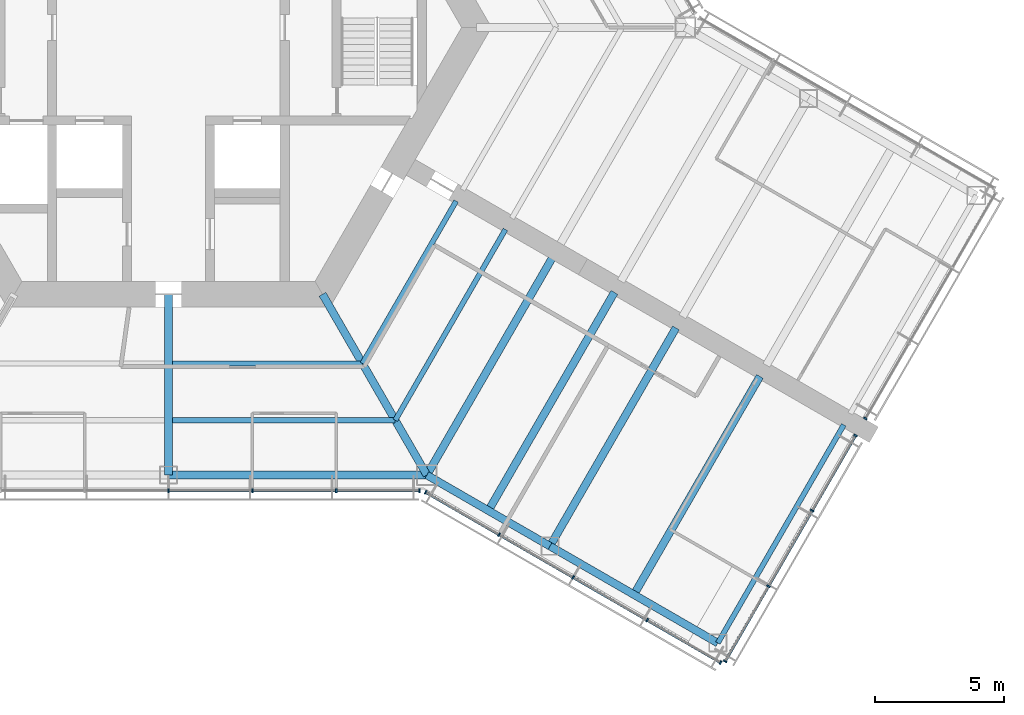
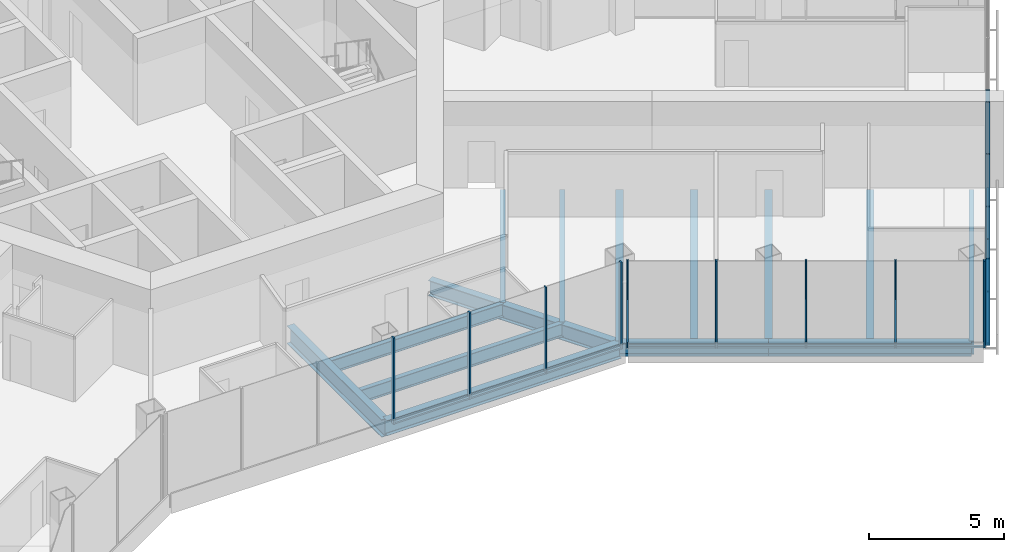
# One storey, part 5 of 18: 24 members, 14 beams, 4 elements without a shape of their own.
"""IFC4 building model written with IfcOpenShell, lengths in metres."""

from ifc_helpers import new_model, si_unit, direction, frame, origin, origin_2d, place, context, subcontext, project, spatial, rectangle, i_section, extrude, material, material_profile, profile_set, type_object, element, aggregate, save


model = new_model("IFC4")

# Units and contexts
model_context = context("Model", 3, precision=1e-05, world=origin(), true_north=direction((0.0, 1.0)))
body_context = subcontext(model_context, "Body", "Model", "MODEL_VIEW")
ifc_project = project(units=[si_unit("LENGTHUNIT", "METRE"), si_unit("AREAUNIT", "SQUARE_METRE"), si_unit("VOLUMEUNIT", "CUBIC_METRE"), si_unit("PLANEANGLEUNIT", "RADIAN"), si_unit("MASSUNIT", "GRAM", prefix="KILO")], contexts=[model_context])

# Site, building, storey
site_placement = place(None, origin())
site = spatial("IfcSite", under=ifc_project, at=site_placement, CompositionType="ELEMENT")
building_placement = place(site_placement, origin())
building = spatial("IfcBuilding", under=site, at=building_placement, Name="Kasaneha Research Tower", CompositionType="ELEMENT")
storey_placement = place(building_placement, frame((0.0, 0.0, 187.699951171875)))
storey = spatial("IfcBuildingStorey", under=building, at=storey_placement, Name="L47", CompositionType="ELEMENT", Elevation=187.699951171875)

# Beams
ifc_material_1 = material(Name="Steel SN490B", Category="steel")
ifc_material_profile_1 = material_profile(ifc_material_1, i_section(OverallWidth=0.199951171875, OverallDepth=0.60009765625, WebThickness=0.010986328125, FlangeThickness=0.01708984375, FilletRadius=0.012939453125, at=origin_2d()), Name="H-600x200x11x17")
ifc_profile_set_1 = profile_set([ifc_material_profile_1], Name="Steel SN490B")
beam_type_1 = type_object("IfcBeamType", Name="B1-3 secondary beam H-600x200x11x17", PredefinedType="JOIST", material=ifc_profile_set_1)
beam_1_placement = place(storey_placement, frame((7.505615234375, -13.0, -0.449951171875), z_axis=(-1.0, 0.0, 0.0), x_axis=(0.0, -1.0, 0.0)))
element("IfcBeam", 1, at=beam_1_placement, inside=storey, type_object=beam_type_1, Name="Secondary beam RS270R1 L47", PredefinedType="JOIST", context=body_context, shape_type="SweptSolid", body=[
    extrude(i_section(OverallWidth=0.199951171875, OverallDepth=0.60009765625, WebThickness=0.010986328125, FlangeThickness=0.01708984375, FilletRadius=0.012939453125, at=origin_2d()), origin(), (0.0, 0.0, 1.0), 7.355712890625),
])
beam_2_placement = place(storey_placement, frame((8.775634765625, -15.199951171875, -0.449951171875), z_axis=(-1.0, 0.0, 0.0), x_axis=(0.0, -1.0, 0.0)))
element("IfcBeam", 2, at=beam_2_placement, inside=storey, type_object=beam_type_1, Name="Secondary beam RS270R2 L47", PredefinedType="JOIST", context=body_context, shape_type="SweptSolid", body=[
    extrude(i_section(OverallWidth=0.199951171875, OverallDepth=0.60009765625, WebThickness=0.010986328125, FlangeThickness=0.01708984375, FilletRadius=0.012939453125, at=origin_2d()), origin(), (0.0, 0.0, 1.0), 8.625732421875),
])
beam_3_placement = place(storey_placement, frame((7.505615234375, -13.0, -0.449951171875), z_axis=(0.499993340521, 0.866029248602, 0.0), x_axis=(-0.866029248602, 0.499993340521, 0.0)))
element("IfcBeam", 3, at=beam_3_placement, inside=storey, type_object=beam_type_1, Name="Secondary beam RS330L1 L47", PredefinedType="JOIST", context=body_context, shape_type="SweptSolid", body=[
    extrude(i_section(OverallWidth=0.199951171875, OverallDepth=0.60009765625, WebThickness=0.010986328125, FlangeThickness=0.01708984375, FilletRadius=0.012939453125, at=origin_2d()), origin(), (0.0, 0.0, 1.0), 7.25537109375),
])
beam_4_placement = place(storey_placement, frame((8.775634765625, -15.199951171875, -0.449951171875), z_axis=(0.500004205306, 0.866022975836, 0.0), x_axis=(-0.866022975836, 0.500004205306, 0.0)))
element("IfcBeam", 4, at=beam_4_placement, inside=storey, type_object=beam_type_1, Name="Secondary beam RS330L2 L47", PredefinedType="JOIST", context=body_context, shape_type="SweptSolid", body=[
    extrude(i_section(OverallWidth=0.199951171875, OverallDepth=0.60009765625, WebThickness=0.010986328125, FlangeThickness=0.01708984375, FilletRadius=0.012939453125, at=origin_2d()), origin(), (0.0, 0.0, 1.0), 8.52587890625),
])
ifc_material_2 = material(Name="Steel SN490B", Category="steel")
ifc_material_profile_2 = material_profile(ifc_material_2, i_section(OverallWidth=0.300048828125, OverallDepth=0.58203125, WebThickness=0.011962890625, FlangeThickness=0.01708984375, FilletRadius=0.012939453125, at=origin_2d()), Name="H-582x300x12x17")
ifc_profile_set_2 = profile_set([ifc_material_profile_2], Name="Steel SN490B")
beam_type_2 = type_object("IfcBeamType", Name="B2-3 secondary beam H-582x300x12x17", PredefinedType="JOIST", material=ifc_profile_set_2)
for number, where, z_axis, x_axis, name in (
    (5, (12.381591796875, -18.695556640625, -0.44091796875), (0.499995560238, 0.866027967067, 0.0), (-0.866027967067, 0.499995560238, 0.0), "Secondary beam WBCP1 L47"),
    (6, (18.0107421875, -21.945556640625, -0.44091796875), (0.499995560238, 0.866027967067, 0.0), (-0.866027967067, 0.499995560238, 0.0), "Secondary beam WBCP2 L47"),
):
    element("IfcBeam", number, at=place(storey_placement, frame(where, z_axis=z_axis, x_axis=x_axis)), inside=storey, type_object=beam_type_2, Name=name, PredefinedType="JOIST", context=body_context, shape_type="SweptSolid", body=[
        extrude(i_section(OverallWidth=0.300048828125, OverallDepth=0.58203125, WebThickness=0.011962890625, FlangeThickness=0.01708984375, FilletRadius=0.012939453125, at=origin_2d()), origin(), (0.0, 0.0, 1.0), 9.75),
    ])

# Curtain wall, members
ifc_material_3 = material(Name="Glass and aluminium", Category="aluminium")
curtain_wall_type = type_object("IfcCurtainWallType", Name="Mid-rise office curtain wall", PredefinedType="USERDEFINED", material=ifc_material_3)
curtain_wall_1_placement = place(storey_placement, origin())
curtain_wall_1 = element("IfcCurtainWall", 7, at=curtain_wall_1_placement, inside=storey, type_object=curtain_wall_type, Name="CW-O2 L47 run 01a", ObjectType="UNITISED CURTAIN WALL", PredefinedType="USERDEFINED")
ifc_material_4 = material(Name="Aluminium 6063-T6", Category="aluminium")
ifc_material_profile_3 = material_profile(ifc_material_4, rectangle(XDim=0.06005859375, YDim=0.14990234375, at=origin_2d()), Name="CW-O2 mullion 60x150")
ifc_profile_set_3 = profile_set([ifc_material_profile_3], Name="Aluminium 6063-T6")
member_type_1 = type_object("IfcMemberType", Name="CW-O2 mullion", PredefinedType="MULLION", material=ifc_profile_set_3)
member_1_placement = place(storey_placement, frame((0.0, -17.92041015625, 0.0), z_axis=(0.0, 0.0, 1.0), x_axis=(1.0, 0.0, 0.0)))
member_1 = element("IfcMember", 8, at=member_1_placement, type_object=member_type_1, Name="CW-O2 mullion 4", PredefinedType="MULLION", context=body_context, shape_type="SweptSolid", body=[
    extrude(rectangle(XDim=0.06005859375, YDim=0.14990234375, at=origin_2d()), origin(), (0.0, 0.0, 1.0), 3.900146484375),
])
member_2_placement = place(storey_placement, frame((3.246337890625, -17.92041015625, 0.0), z_axis=(0.0, 0.0, 1.0), x_axis=(1.0, 0.0, 0.0)))
member_2 = element("IfcMember", 9, at=member_2_placement, type_object=member_type_1, Name="CW-O2 mullion 5", PredefinedType="MULLION", context=body_context, shape_type="SweptSolid", body=[
    extrude(rectangle(XDim=0.06005859375, YDim=0.14990234375, at=origin_2d()), origin(), (0.0, 0.0, 1.0), 3.900146484375),
])
member_3_placement = place(storey_placement, frame((6.492919921875, -17.92041015625, 0.0), z_axis=(0.0, 0.0, 1.0), x_axis=(1.0, 0.0, 0.0)))
member_3 = element("IfcMember", 10, at=member_3_placement, type_object=member_type_1, Name="CW-O2 mullion 6", PredefinedType="MULLION", context=body_context, shape_type="SweptSolid", body=[
    extrude(rectangle(XDim=0.06005859375, YDim=0.14990234375, at=origin_2d()), origin(), (0.0, 0.0, 1.0), 3.900146484375),
])
member_4_placement = place(storey_placement, frame((9.709228515625, -17.92041015625, 0.0), z_axis=(0.0, 0.0, 1.0), x_axis=(1.0, 0.0, 0.0)))
member_4 = element("IfcMember", 11, at=member_4_placement, type_object=member_type_1, Name="CW-O2 mullion 7", PredefinedType="MULLION", context=body_context, shape_type="SweptSolid", body=[
    extrude(rectangle(XDim=0.06005859375, YDim=0.14990234375, at=origin_2d()), origin(), (0.0, 0.0, 1.0), 3.900146484375),
])

curtain_wall_2_placement = place(storey_placement, origin())
curtain_wall_2 = element("IfcCurtainWall", 12, at=curtain_wall_2_placement, inside=storey, type_object=curtain_wall_type, Name="CW-O2 L47 run 02a", ObjectType="UNITISED CURTAIN WALL", PredefinedType="USERDEFINED")
member_5_placement = place(storey_placement, frame((9.951904296875, -17.985595703125, 0.0), z_axis=(0.0, 0.0, 1.0), x_axis=(0.866025411464, -0.499999986699, 0.0)))
member_5 = element("IfcMember", 13, at=member_5_placement, type_object=member_type_1, Name="CW-O2 mullion 1", PredefinedType="MULLION", context=body_context, shape_type="SweptSolid", body=[
    extrude(rectangle(XDim=0.06005859375, YDim=0.14990234375, at=origin_2d()), origin(), (0.0, 0.0, 1.0), 3.900146484375),
])
member_6_placement = place(storey_placement, frame((12.792236328125, -19.62548828125, 0.0), z_axis=(0.0, 0.0, 1.0), x_axis=(0.866025411464, -0.499999986699, 0.0)))
member_6 = element("IfcMember", 14, at=member_6_placement, type_object=member_type_1, Name="CW-O2 mullion 2", PredefinedType="MULLION", context=body_context, shape_type="SweptSolid", body=[
    extrude(rectangle(XDim=0.06005859375, YDim=0.14990234375, at=origin_2d()), origin(), (0.0, 0.0, 1.0), 3.900146484375),
])
member_7_placement = place(storey_placement, frame((15.65869140625, -21.2802734375, 0.0), z_axis=(0.0, 0.0, 1.0), x_axis=(0.866025411464, -0.499999986699, 0.0)))
member_7 = element("IfcMember", 15, at=member_7_placement, type_object=member_type_1, Name="CW-O2 mullion 3", PredefinedType="MULLION", context=body_context, shape_type="SweptSolid", body=[
    extrude(rectangle(XDim=0.06005859375, YDim=0.14990234375, at=origin_2d()), origin(), (0.0, 0.0, 1.0), 3.900146484375),
])
member_8_placement = place(storey_placement, frame((18.52490234375, -22.935302734375, 0.0), z_axis=(0.0, 0.0, 1.0), x_axis=(0.866025411464, -0.499999986699, 0.0)))
member_8 = element("IfcMember", 16, at=member_8_placement, type_object=member_type_1, Name="CW-O2 mullion 4", PredefinedType="MULLION", context=body_context, shape_type="SweptSolid", body=[
    extrude(rectangle(XDim=0.06005859375, YDim=0.14990234375, at=origin_2d()), origin(), (0.0, 0.0, 1.0), 3.900146484375),
])
member_9_placement = place(storey_placement, frame((21.365478515625, -24.5751953125, 0.0), z_axis=(0.0, 0.0, 1.0), x_axis=(0.866025411464, -0.499999986699, 0.0)))
member_9 = element("IfcMember", 17, at=member_9_placement, type_object=member_type_1, Name="CW-O2 mullion 5", PredefinedType="MULLION", context=body_context, shape_type="SweptSolid", body=[
    extrude(rectangle(XDim=0.06005859375, YDim=0.14990234375, at=origin_2d()), origin(), (0.0, 0.0, 1.0), 3.900146484375),
])

curtain_wall_3_placement = place(storey_placement, origin())
curtain_wall_3 = element("IfcCurtainWall", 18, at=curtain_wall_3_placement, inside=storey, type_object=curtain_wall_type, Name="CW-O2 L47 run 03a", ObjectType="UNITISED CURTAIN WALL", PredefinedType="USERDEFINED")
member_10_placement = place(storey_placement, frame((21.54296875, -24.527587890625, 0.0), z_axis=(0.0, 0.0, 1.0), x_axis=(0.500000011442, 0.866025397178, 0.0)))
member_10 = element("IfcMember", 19, at=member_10_placement, type_object=member_type_1, Name="CW-O2 mullion 1", PredefinedType="MULLION", context=body_context, shape_type="SweptSolid", body=[
    extrude(rectangle(XDim=0.06005859375, YDim=0.14990234375, at=origin_2d()), origin(), (0.0, 0.0, 1.0), 3.900146484375),
])
member_11_placement = place(storey_placement, frame((23.2197265625, -21.62353515625, 0.0), z_axis=(0.0, 0.0, 1.0), x_axis=(0.500000011442, 0.866025397178, 0.0)))
member_11 = element("IfcMember", 20, at=member_11_placement, type_object=member_type_1, Name="CW-O2 mullion 2", PredefinedType="MULLION", context=body_context, shape_type="SweptSolid", body=[
    extrude(rectangle(XDim=0.06005859375, YDim=0.14990234375, at=origin_2d()), origin(), (0.0, 0.0, 1.0), 3.900146484375),
])
member_12_placement = place(storey_placement, frame((24.911376953125, -18.693359375, 0.0), z_axis=(0.0, 0.0, 1.0), x_axis=(0.500000011442, 0.866025397178, 0.0)))
member_12 = element("IfcMember", 21, at=member_12_placement, type_object=member_type_1, Name="CW-O2 mullion 3", PredefinedType="MULLION", context=body_context, shape_type="SweptSolid", body=[
    extrude(rectangle(XDim=0.06005859375, YDim=0.14990234375, at=origin_2d()), origin(), (0.0, 0.0, 1.0), 3.900146484375),
])
member_13_placement = place(storey_placement, frame((26.587890625, -15.789306640625, 0.0), z_axis=(0.0, 0.0, 1.0), x_axis=(0.500000011442, 0.866025397178, 0.0)))
member_13 = element("IfcMember", 22, at=member_13_placement, type_object=member_type_1, Name="CW-O2 mullion 4", PredefinedType="MULLION", context=body_context, shape_type="SweptSolid", body=[
    extrude(rectangle(XDim=0.06005859375, YDim=0.14990234375, at=origin_2d()), origin(), (0.0, 0.0, 1.0), 3.900146484375),
])

# Curtain wall, member
curtain_wall_4_placement = place(storey_placement, origin())
curtain_wall_4 = element("IfcCurtainWall", 23, at=curtain_wall_4_placement, inside=storey, type_object=curtain_wall_type, Name="CW-O2 L47 run 04a", ObjectType="UNITISED CURTAIN WALL", PredefinedType="USERDEFINED")
member_14_placement = place(storey_placement, frame((26.968017578125, -15.131103515625, 0.0), z_axis=(0.0, 0.0, 1.0), x_axis=(0.500000011442, 0.866025397178, 0.0)))
member_14 = element("IfcMember", 24, at=member_14_placement, type_object=member_type_1, Name="CW-O2 mullion 1", PredefinedType="MULLION", context=body_context, shape_type="SweptSolid", body=[
    extrude(rectangle(XDim=0.06005859375, YDim=0.14990234375, at=origin_2d()), origin(), (0.0, 0.0, 1.0), 3.900146484375),
])
aggregate(curtain_wall_4, [member_14])

# Member
ifc_material_5 = material(Name="Aluminium 6063-T6", Category="aluminium")
ifc_material_profile_4 = material_profile(ifc_material_5, rectangle(XDim=0.110107421875, YDim=0.06005859375, at=origin_2d()), Name="CW-O2 transom 110x60")
ifc_profile_set_4 = profile_set([ifc_material_profile_4], Name="Aluminium 6063-T6")
member_type_2 = type_object("IfcMemberType", Name="CW-O2 transom", PredefinedType="USERDEFINED", material=ifc_profile_set_4)
member_15_placement = place(storey_placement, frame((0.030029296875, -17.92041015625, 0.030029296875), z_axis=(1.0, 0.0, 0.0), x_axis=(0.0, 1.0, 0.0)))
member_15 = element("IfcMember", 25, at=member_15_placement, type_object=member_type_2, Name="CW-O2 transom 4", ObjectType="TRANSOM", PredefinedType="USERDEFINED", context=body_context, shape_type="SweptSolid", body=[
    extrude(rectangle(XDim=0.110107421875, YDim=0.06005859375, at=origin_2d()), origin(), (0.0, 0.0, 1.0), 3.186279296875),
])

member_16_placement = place(storey_placement, frame((3.2763671875, -17.92041015625, 0.030029296875), z_axis=(1.0, 0.0, 0.0), x_axis=(0.0, 1.0, 0.0)))
member_16 = element("IfcMember", 26, at=member_16_placement, type_object=member_type_2, Name="CW-O2 transom 5", ObjectType="TRANSOM", PredefinedType="USERDEFINED", context=body_context, shape_type="SweptSolid", body=[
    extrude(rectangle(XDim=0.110107421875, YDim=0.06005859375, at=origin_2d()), origin(), (0.0, 0.0, 1.0), 3.1865234375),
])

member_17_placement = place(storey_placement, frame((6.522705078125, -17.92041015625, 0.030029296875), z_axis=(1.0, 0.0, 0.0), x_axis=(0.0, 1.0, 0.0)))
member_17 = element("IfcMember", 27, at=member_17_placement, type_object=member_type_2, Name="CW-O2 transom 6", ObjectType="TRANSOM", PredefinedType="USERDEFINED", context=body_context, shape_type="SweptSolid", body=[
    extrude(rectangle(XDim=0.110107421875, YDim=0.06005859375, at=origin_2d()), origin(), (0.0, 0.0, 1.0), 3.156494140625),
])

aggregate(curtain_wall_1, [member_1, member_2, member_3, member_4, member_15, member_16, member_17])

member_18_placement = place(storey_placement, frame((9.977783203125, -18.00048828125, 0.030029296875), z_axis=(0.866022692473, -0.500004696101, 0.0), x_axis=(0.500004696101, 0.866022692473, 0.0)))
member_18 = element("IfcMember", 28, at=member_18_placement, type_object=member_type_2, Name="CW-O2 transom 1", ObjectType="TRANSOM", PredefinedType="USERDEFINED", context=body_context, shape_type="SweptSolid", body=[
    extrude(rectangle(XDim=0.110107421875, YDim=0.06005859375, at=origin_2d()), origin(), (0.0, 0.0, 1.0), 3.2197265625),
])

member_19_placement = place(storey_placement, frame((12.818115234375, -19.640380859375, 0.030029296875), z_axis=(0.866015446554, -0.500017246033, 0.0), x_axis=(0.500017246033, 0.866015446554, 0.0)))
member_19 = element("IfcMember", 29, at=member_19_placement, type_object=member_type_2, Name="CW-O2 transom 2", ObjectType="TRANSOM", PredefinedType="USERDEFINED", context=body_context, shape_type="SweptSolid", body=[
    extrude(rectangle(XDim=0.110107421875, YDim=0.06005859375, at=origin_2d()), origin(), (0.0, 0.0, 1.0), 3.25),
])

member_20_placement = place(storey_placement, frame((15.6845703125, -21.29541015625, 0.030029296875), z_axis=(0.86604797581, -0.499960902066, 0.0), x_axis=(0.499960902066, 0.86604797581, 0.0)))
member_20 = element("IfcMember", 30, at=member_20_placement, type_object=member_type_2, Name="CW-O2 transom 3", ObjectType="TRANSOM", PredefinedType="USERDEFINED", context=body_context, shape_type="SweptSolid", body=[
    extrude(rectangle(XDim=0.110107421875, YDim=0.06005859375, at=origin_2d()), origin(), (0.0, 0.0, 1.0), 3.249755859375),
])

member_21_placement = place(storey_placement, frame((18.551025390625, -22.9501953125, 0.030029296875), z_axis=(0.866022692473, -0.500004696101, 0.0), x_axis=(0.500004696101, 0.866022692473, 0.0)))
member_21 = element("IfcMember", 31, at=member_21_placement, type_object=member_type_2, Name="CW-O2 transom 4", ObjectType="TRANSOM", PredefinedType="USERDEFINED", context=body_context, shape_type="SweptSolid", body=[
    extrude(rectangle(XDim=0.110107421875, YDim=0.06005859375, at=origin_2d()), origin(), (0.0, 0.0, 1.0), 3.2197265625),
])

aggregate(curtain_wall_2, [member_5, member_6, member_7, member_8, member_9, member_18, member_19, member_20, member_21])

member_22_placement = place(storey_placement, frame((21.557861328125, -24.50146484375, 0.030029296875), z_axis=(0.500021914551, 0.866012751043, 0.0), x_axis=(-0.866012751043, 0.500021914551, 0.0)))
member_22 = element("IfcMember", 32, at=member_22_placement, type_object=member_type_2, Name="CW-O2 transom 1", ObjectType="TRANSOM", PredefinedType="USERDEFINED", context=body_context, shape_type="SweptSolid", body=[
    extrude(rectangle(XDim=0.110107421875, YDim=0.06005859375, at=origin_2d()), origin(), (0.0, 0.0, 1.0), 3.293212890625),
])

member_23_placement = place(storey_placement, frame((23.234619140625, -21.597412109375, 0.030029296875), z_axis=(0.500010745865, 0.866019199568, 0.0), x_axis=(-0.866019199568, 0.500010745865, 0.0)))
member_23 = element("IfcMember", 33, at=member_23_placement, type_object=member_type_2, Name="CW-O2 transom 2", ObjectType="TRANSOM", PredefinedType="USERDEFINED", context=body_context, shape_type="SweptSolid", body=[
    extrude(rectangle(XDim=0.110107421875, YDim=0.06005859375, at=origin_2d()), origin(), (0.0, 0.0, 1.0), 3.3232421875),
])

member_24_placement = place(storey_placement, frame((24.92626953125, -18.66748046875, 0.030029296875), z_axis=(0.500021914551, 0.866012751043, 0.0), x_axis=(-0.866012751043, 0.500021914551, 0.0)))
member_24 = element("IfcMember", 34, at=member_24_placement, type_object=member_type_2, Name="CW-O2 transom 3", ObjectType="TRANSOM", PredefinedType="USERDEFINED", context=body_context, shape_type="SweptSolid", body=[
    extrude(rectangle(XDim=0.110107421875, YDim=0.06005859375, at=origin_2d()), origin(), (0.0, 0.0, 1.0), 3.293212890625),
])

aggregate(curtain_wall_3, [member_10, member_11, member_12, member_13, member_22, member_23, member_24])

# Beams
ifc_material_6 = material(Name="Steel SN490B", Category="steel")
ifc_material_profile_5 = material_profile(ifc_material_6, i_section(OverallWidth=0.300048828125, OverallDepth=0.699951171875, WebThickness=0.012939453125, FlangeThickness=0.02392578125, FilletRadius=0.01806640625, at=origin_2d()), Name="H-700x300x13x24")
ifc_profile_set_5 = profile_set([ifc_material_profile_5], Name="Steel SN490B")
beam_type_3 = type_object("IfcBeamType", Name="G1-3 radial girder H-700x300x13x24", PredefinedType="BEAM", material=ifc_profile_set_5)
beam_5_placement = place(storey_placement, frame((5.961181640625, -10.324951171875, -0.5), z_axis=(0.49999105496, -0.866030568144, 0.0), x_axis=(0.866030568144, 0.49999105496, 0.0)))
element("IfcBeam", 35, at=beam_5_placement, inside=storey, type_object=beam_type_3, Name="Radial girder RV300 L47", PredefinedType="BEAM", context=body_context, shape_type="SweptSolid", body=[
    extrude(i_section(OverallWidth=0.300048828125, OverallDepth=0.699951171875, WebThickness=0.012939453125, FlangeThickness=0.02392578125, FilletRadius=0.01806640625, at=origin_2d()), origin(), (0.0, 0.0, 1.0), 8.077880859375),
])
ifc_material_7 = material(Name="Steel SN490B", Category="steel")
ifc_material_profile_6 = material_profile(ifc_material_7, i_section(OverallWidth=0.300048828125, OverallDepth=0.800048828125, WebThickness=0.013916015625, FlangeThickness=0.02587890625, FilletRadius=0.01806640625, at=origin_2d()), Name="H-800x300x14x26")
ifc_profile_set_6 = profile_set([ifc_material_profile_6], Name="Steel SN490B")
beam_type_4 = type_object("IfcBeamType", Name="G2-3 radial girder H-800x300x14x26", PredefinedType="BEAM", material=ifc_profile_set_6)
beam_6_placement = place(storey_placement, frame((0.0, -10.324951171875, -0.550048828125), z_axis=(0.0, -1.0, 0.0), x_axis=(1.0, 0.0, 0.0)))
element("IfcBeam", 36, at=beam_6_placement, inside=storey, type_object=beam_type_4, Name="Radial girder RM270 L47", PredefinedType="BEAM", context=body_context, shape_type="SweptSolid", body=[
    extrude(i_section(OverallWidth=0.300048828125, OverallDepth=0.800048828125, WebThickness=0.013916015625, FlangeThickness=0.02587890625, FilletRadius=0.01806640625, at=origin_2d()), origin(), (0.0, 0.0, 1.0), 6.99560546875),
])
ifc_material_8 = material(Name="Steel SN490B", Category="steel")
ifc_material_profile_7 = material_profile(ifc_material_8, i_section(OverallWidth=0.300048828125, OverallDepth=0.69189453125, WebThickness=0.012939453125, FlangeThickness=0.02001953125, FilletRadius=0.01806640625, at=origin_2d()), Name="H-692x300x13x20")
ifc_profile_set_7 = profile_set([ifc_material_profile_7], Name="Steel SN490B")
beam_type_5 = type_object("IfcBeamType", Name="G3-3 plate edge girder H-692x300x13x20", PredefinedType="BEAM", material=ifc_profile_set_7)
beam_7_placement = place(storey_placement, frame((10.0, -17.320556640625, -0.495849609375), z_axis=(0.499995560238, 0.866027967067, 0.0), x_axis=(-0.866027967067, 0.499995560238, 0.0)))
element("IfcBeam", 37, at=beam_7_placement, inside=storey, type_object=beam_type_5, Name="Plate edge girder PECP L47", PredefinedType="BEAM", context=body_context, shape_type="SweptSolid", body=[
    extrude(i_section(OverallWidth=0.300048828125, OverallDepth=0.69189453125, WebThickness=0.012939453125, FlangeThickness=0.02001953125, FilletRadius=0.01806640625, at=origin_2d()), origin(), (0.0, 0.0, 1.0), 9.75),
])
ifc_material_9 = material(Name="Steel SN490B", Category="steel")
ifc_material_profile_8 = material_profile(ifc_material_9, i_section(OverallWidth=0.300048828125, OverallDepth=0.699951171875, WebThickness=0.012939453125, FlangeThickness=0.02392578125, FilletRadius=0.01806640625, at=origin_2d()), Name="H-700x300x13x24")
ifc_profile_set_8 = profile_set([ifc_material_profile_8], Name="Steel SN490B")
beam_type_6 = type_object("IfcBeamType", Name="G4-3 wing girder H-700x300x13x24", PredefinedType="BEAM", material=ifc_profile_set_8)
beam_8_placement = place(storey_placement, frame((14.76318359375, -20.070556640625, -0.5), z_axis=(0.499995560238, 0.866027967067, 0.0), x_axis=(-0.866027967067, 0.499995560238, 0.0)))
element("IfcBeam", 38, at=beam_8_placement, inside=storey, type_object=beam_type_6, Name="Wing girder WGCP L47", PredefinedType="BEAM", context=body_context, shape_type="SweptSolid", body=[
    extrude(i_section(OverallWidth=0.300048828125, OverallDepth=0.699951171875, WebThickness=0.012939453125, FlangeThickness=0.02392578125, FilletRadius=0.01806640625, at=origin_2d()), origin(), (0.0, 0.0, 1.0), 9.75),
])
ifc_material_10 = material(Name="Steel SN490B", Category="steel")
ifc_material_profile_9 = material_profile(ifc_material_10, i_section(OverallWidth=0.300048828125, OverallDepth=0.69189453125, WebThickness=0.012939453125, FlangeThickness=0.02001953125, FilletRadius=0.01806640625, at=origin_2d()), Name="H-692x300x13x20")
ifc_profile_set_9 = profile_set([ifc_material_profile_9], Name="Steel SN490B")
beam_type_7 = type_object("IfcBeamType", Name="SB1-3 spandrel beam H-692x300x13x20", PredefinedType="SPANDREL", material=ifc_profile_set_9)
beam_9_placement = place(storey_placement, frame((10.0, -17.320556640625, -0.495849609375), z_axis=(-1.0, 0.0, 0.0), x_axis=(0.0, -1.0, 0.0)))
element("IfcBeam", 39, at=beam_9_placement, inside=storey, type_object=beam_type_7, Name="Spandrel beam SR270R L47", PredefinedType="SPANDREL", context=body_context, shape_type="SweptSolid", body=[
    extrude(i_section(OverallWidth=0.300048828125, OverallDepth=0.69189453125, WebThickness=0.012939453125, FlangeThickness=0.02001953125, FilletRadius=0.01806640625, at=origin_2d()), origin(), (0.0, 0.0, 1.0), 10.0),
])
ifc_material_11 = material(Name="Steel SN490B", Category="steel")
ifc_material_profile_10 = material_profile(ifc_material_11, i_section(OverallWidth=0.300048828125, OverallDepth=0.58203125, WebThickness=0.011962890625, FlangeThickness=0.01708984375, FilletRadius=0.012939453125, at=origin_2d()), Name="H-582x300x12x17")
ifc_profile_set_10 = profile_set([ifc_material_profile_10], Name="Steel SN490B")
beam_type_8 = type_object("IfcBeamType", Name="SB2-3 spandrel beam H-582x300x12x17", PredefinedType="SPANDREL", material=ifc_profile_set_10)
beam_10_placement = place(storey_placement, frame((10.0, -17.320556640625, -0.44091796875), z_axis=(0.866027397988, -0.499996545922, 0.0), x_axis=(0.499996545922, 0.866027397988, 0.0)))
element("IfcBeam", 40, at=beam_10_placement, inside=storey, type_object=beam_type_8, Name="Spandrel beam WSCP1 L47", PredefinedType="SPANDREL", context=body_context, shape_type="SweptSolid", body=[
    extrude(i_section(OverallWidth=0.300048828125, OverallDepth=0.58203125, WebThickness=0.011962890625, FlangeThickness=0.01708984375, FilletRadius=0.012939453125, at=origin_2d()), origin(), (0.0, 0.0, 1.0), 5.5),
])
beam_11_placement = place(storey_placement, frame((14.76318359375, -20.070556640625, -0.44091796875), z_axis=(0.866022959057, -0.500004234368, 0.0), x_axis=(0.500004234368, 0.866022959057, 0.0)))
element("IfcBeam", 41, at=beam_11_placement, inside=storey, type_object=beam_type_8, Name="Spandrel beam WSCP2 L47", PredefinedType="SPANDREL", context=body_context, shape_type="SweptSolid", body=[
    extrude(i_section(OverallWidth=0.300048828125, OverallDepth=0.58203125, WebThickness=0.011962890625, FlangeThickness=0.01708984375, FilletRadius=0.012939453125, at=origin_2d()), origin(), (0.0, 0.0, 1.0), 7.5),
])
ifc_material_12 = material(Name="Steel SN490B", Category="steel")
ifc_material_profile_11 = material_profile(ifc_material_12, i_section(OverallWidth=0.199951171875, OverallDepth=0.60009765625, WebThickness=0.010986328125, FlangeThickness=0.01708984375, FilletRadius=0.012939453125, at=origin_2d()), Name="H-600x200x11x17")
ifc_profile_set_11 = profile_set([ifc_material_profile_11], Name="Steel SN490B")
beam_type_9 = type_object("IfcBeamType", Name="SB3-3 spandrel beam H-600x200x11x17", PredefinedType="SPANDREL", material=ifc_profile_set_11)
beam_12_placement = place(storey_placement, frame((21.25830078125, -23.820556640625, -0.449951171875), z_axis=(0.499995560238, 0.866027967067, 0.0), x_axis=(-0.866027967067, 0.499995560238, 0.0)))
element("IfcBeam", 42, at=beam_12_placement, inside=storey, type_object=beam_type_9, Name="Spandrel beam WTCP L47", PredefinedType="SPANDREL", context=body_context, shape_type="SweptSolid", body=[
    extrude(i_section(OverallWidth=0.199951171875, OverallDepth=0.60009765625, WebThickness=0.010986328125, FlangeThickness=0.01708984375, FilletRadius=0.012939453125, at=origin_2d()), origin(), (0.0, 0.0, 1.0), 9.75),
])

save(model, "model.ifc")
